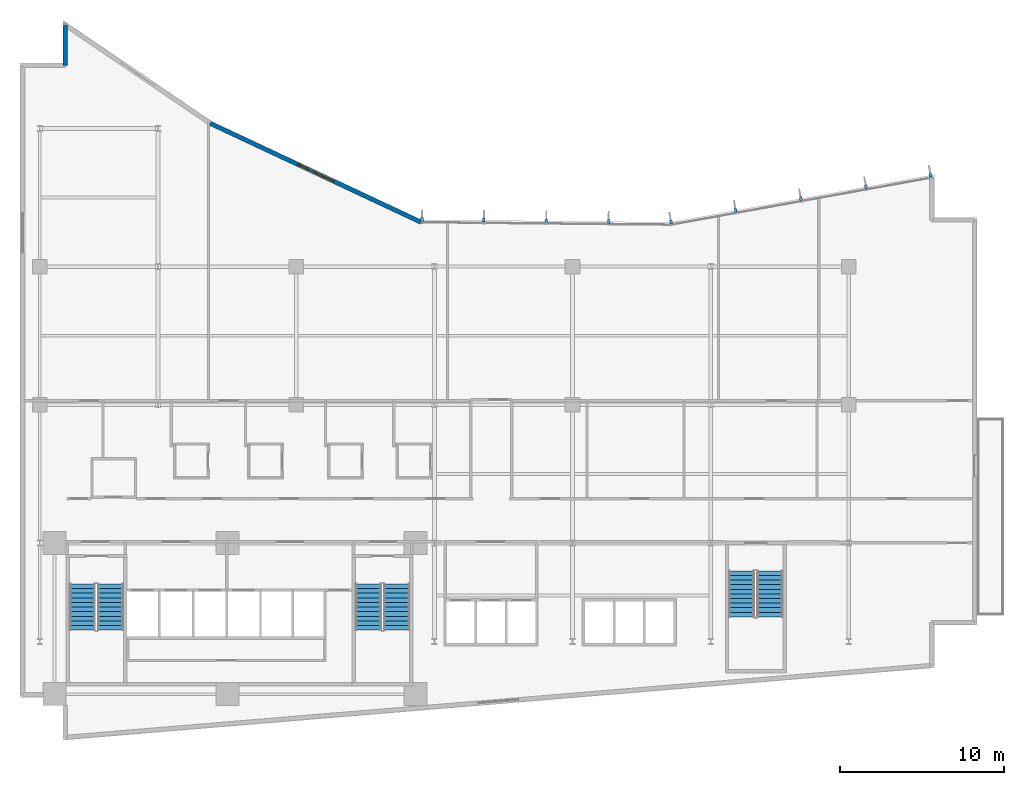
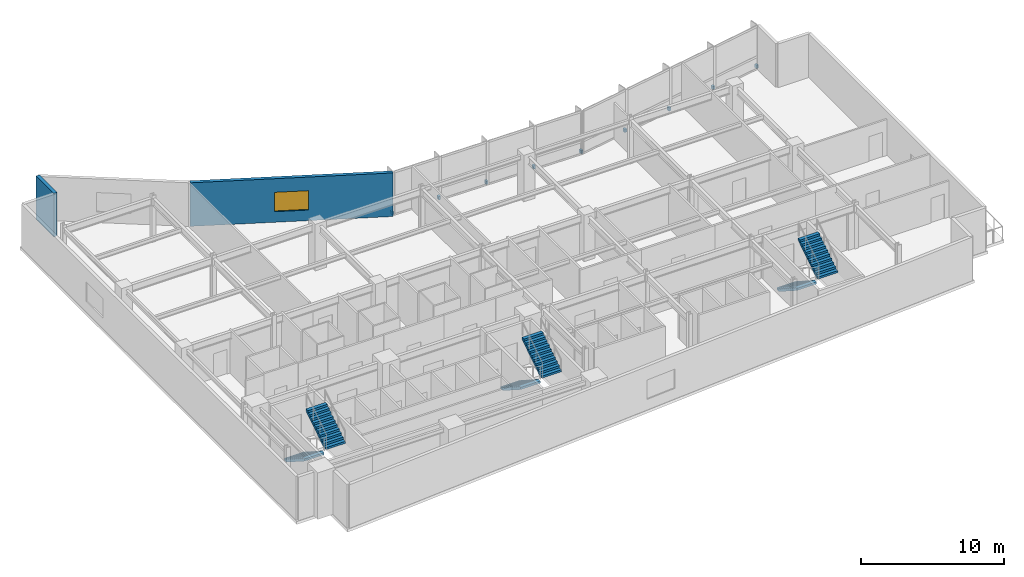
# One storey, part 13 of 18: 9 discrete accessories, 6 stair flights, 2 walls, 1 window, 1 opening, 3 elements without a shape of their own.
"""IFC4 building model written with IfcOpenShell, lengths in metres."""

from ifc_helpers import new_model, si_unit, direction, frame, frame_2d, origin, origin_2d, place, context, subcontext, project, spatial, polyline, rectangle, outline, extrude, material, layer, layer_set, type_object, element, fill, aggregate, save


model = new_model("IFC4")

# Units and contexts
model_context = context("Model", 3, precision=1e-05, world=origin(), true_north=direction((0.0, 1.0)))
body_context = subcontext(model_context, "Body", "Model", "MODEL_VIEW")
ifc_project = project(units=[si_unit("LENGTHUNIT", "METRE"), si_unit("AREAUNIT", "SQUARE_METRE"), si_unit("VOLUMEUNIT", "CUBIC_METRE"), si_unit("PLANEANGLEUNIT", "RADIAN"), si_unit("MASSUNIT", "GRAM", prefix="KILO")], contexts=[model_context])

# Site, building, storey
site_placement = place(None, origin())
site = spatial("IfcSite", under=ifc_project, at=site_placement, CompositionType="ELEMENT")
building_placement = place(site_placement, origin())
building = spatial("IfcBuilding", under=site, at=building_placement, Name="Varnakote Quay Hospital", CompositionType="ELEMENT")
storey_placement = place(building_placement, frame((0.0, 0.0, 69.89990234375)))
storey = spatial("IfcBuildingStorey", under=building, at=storey_placement, Name="L17", CompositionType="ELEMENT", Elevation=69.89990234375)

# Wall, opening, window
ifc_material_1 = material(Name="Precast concrete N50 (f'c 50 MPa)", Category="concrete")
ifc_layer_1 = layer(ifc_material_1, 0.260009765625)
ifc_layer_set_1 = layer_set([ifc_layer_1], Name="Precast concrete N50 (f'c 50 MPa)")
wall_type = type_object("IfcWallType", Name="WL-EXT-BRICK-260", PredefinedType="STANDARD", material=ifc_layer_set_1)
wall_1_placement = place(storey_placement, frame((24.40771484375, 31.4921875, 0.0), z_axis=(0.0, 0.0, 1.0), x_axis=(-0.905396522918, 0.424566998585, 0.0)))
wall_1 = element("IfcWall", 1, at=wall_1_placement, inside=storey, type_object=wall_type, Name="L17 Brick-Faced Precast Exterior Wall", PredefinedType="STANDARD", context=body_context, shape_type="SweptSolid", body=[
    extrude(rectangle(XDim=14.189453125, YDim=0.260009765625, at=frame_2d((7.0947265625, 0.0))), origin(), (0.0, 0.0, 1.0), 3.710205078125),
])
opening_placement = place(wall_1_placement, frame((5.894775390625, 0.0, 0.89990234375)))
opening = element("IfcOpeningElement", 2, at=opening_placement, cuts=wall_1, Name="Opening WN-0083", PredefinedType="OPENING", context=body_context, shape_type="SweptSolid", body=[
    extrude(rectangle(XDim=2.39990234375, YDim=1.64990234375, at=frame_2d((1.199951171875, 0.824951171875))), frame((0.0, 0.139892578125, 0.0), z_axis=(0.0, -1.0, 0.0), x_axis=(1.0, 0.0, 0.0)), (0.0, 0.0, 1.0), 0.280029296875),
])
ifc_material_2 = material(Name="Double-glazed low-E solar glass", Category="glass")
window_type = type_object("IfcWindowType", Name="WIN-CLIN-2400x1650", PartitioningType="SINGLE_PANEL", PredefinedType="WINDOW", material=ifc_material_2)
window_placement = place(opening_placement, origin())
window = element("IfcWindow", 3, at=window_placement, inside=storey, type_object=window_type, Name="L17 Solar-Control Clinical Window", OverallHeight=1.64990234375, OverallWidth=2.39990234375, PartitioningType="SINGLE_PANEL", PredefinedType="WINDOW", context=body_context, shape_type="SweptSolid", body=[
    extrude(rectangle(XDim=2.39990234375, YDim=1.64990234375, at=frame_2d((1.199951171875, 0.824951171875))), frame((0.0, 0.030029296875, 0.0), z_axis=(0.0, -1.0, 0.0), x_axis=(1.0, 0.0, 0.0)), (0.0, 0.0, 1.0), 0.06005859375),
])
fill(opening, window)

# Wall
wall_2_placement = place(storey_placement, frame((2.760009765625, 43.497802734375, 0.0), z_axis=(0.0, 0.0, 1.0), x_axis=(0.0, -1.0, 0.0)))
element("IfcWall", 4, at=wall_2_placement, inside=storey, type_object=wall_type, Name="L17 Brick-Faced Precast Exterior Wall", PredefinedType="STANDARD", context=body_context, shape_type="SweptSolid", body=[
    extrude(rectangle(XDim=2.457763671875, YDim=0.260009765625, at=frame_2d((1.22900390625, 0.0))), origin(), (0.0, 0.0, 1.0), 3.710205078125),
])

# Stair, stair flights
ifc_material_3 = material(Name="Concrete N40 (f'c 40 MPa)", Category="concrete")
stair_type = type_object("IfcStairType", Name="STR-CORE-1580", PredefinedType="HALF_TURN_STAIR", material=ifc_material_3)
stair_1_placement = place(storey_placement, origin())
stair_1 = element("IfcStair", 5, at=stair_1_placement, inside=storey, type_object=stair_type, Name="L17 Fire-Isolated Exit Stair ST-01", PredefinedType="HALF_TURN_STAIR")
ifc_material_4 = material(Name="Concrete N40 (f'c 40 MPa)", Category="concrete")
ifc_layer_2 = layer(ifc_material_4, 0.159912109375)
ifc_layer_set_2 = layer_set([ifc_layer_2], Name="Concrete N40 (f'c 40 MPa)")
stair_flight_type = type_object("IfcStairFlightType", Name="FLT-CORE-1580", PredefinedType="STRAIGHT", material=ifc_layer_set_2)
stair_flight_1_placement = place(storey_placement, frame((3.7900390625, 9.5, 0.0), z_axis=(0.0, 0.0, 1.0), x_axis=(0.0, -1.0, 0.0)))
stair_flight_1 = element("IfcStairFlight", 6, at=stair_flight_1_placement, type_object=stair_flight_type, Name="ST-01 flight 1", NumberOfRisers=11, NumberOfTreads=10, PredefinedType="STRAIGHT", RiserHeight=0.179545455, TreadLength=0.28, context=body_context, shape_type="SweptSolid", body=[
    extrude(outline(polyline([(0.0, 0.0), (0.0, 0.179443359375), (0.280029296875, 0.179443359375), (0.280029296875, 0.359130859375), (0.56005859375, 0.359130859375), (0.56005859375, 0.53857421875), (0.840087890625, 0.53857421875), (0.840087890625, 0.71826171875), (1.1201171875, 0.71826171875), (1.1201171875, 0.897705078125), (1.39990234375, 0.897705078125), (1.39990234375, 1.077392578125), (1.679931640625, 1.077392578125), (1.679931640625, 1.2568359375), (1.9599609375, 1.2568359375), (1.9599609375, 1.436279296875), (2.239990234375, 1.436279296875), (2.239990234375, 1.615966796875), (2.52001953125, 1.615966796875), (2.52001953125, 1.79541015625), (2.800048828125, 1.79541015625), (2.800048828125, 1.97509765625), (2.800048828125, 1.60546875), (0.296142578125, 0.0), (0.0, 0.0)])), frame((0.0, 0.7900390625, 0.0), z_axis=(0.0, -1.0, 0.0), x_axis=(1.0, 0.0, 0.0)), (0.0, 0.0, 1.0), 1.580078125),
])
stair_flight_2_placement = place(storey_placement, frame((5.510009765625, 6.699951171875, 1.97509765625), z_axis=(0.0, 0.0, 1.0), x_axis=(0.0, 1.0, 0.0)))
stair_flight_2 = element("IfcStairFlight", 7, at=stair_flight_2_placement, type_object=stair_flight_type, Name="ST-01 flight 2", NumberOfRisers=11, NumberOfTreads=10, PredefinedType="STRAIGHT", RiserHeight=0.179545455, TreadLength=0.28, context=body_context, shape_type="SweptSolid", body=[
    extrude(outline(polyline([(0.0, 0.0), (0.0, 0.179443359375), (0.280029296875, 0.179443359375), (0.280029296875, 0.359130859375), (0.56005859375, 0.359130859375), (0.56005859375, 0.53857421875), (0.840087890625, 0.53857421875), (0.840087890625, 0.71826171875), (1.1201171875, 0.71826171875), (1.1201171875, 0.897705078125), (1.39990234375, 0.897705078125), (1.39990234375, 1.077392578125), (1.679931640625, 1.077392578125), (1.679931640625, 1.2568359375), (1.9599609375, 1.2568359375), (1.9599609375, 1.436279296875), (2.239990234375, 1.436279296875), (2.239990234375, 1.615966796875), (2.52001953125, 1.615966796875), (2.52001953125, 1.79541015625), (2.800048828125, 1.79541015625), (2.800048828125, 1.97509765625), (2.800048828125, 1.60546875), (0.296142578125, 0.0), (0.0, 0.0)])), frame((0.0, 0.7900390625, 0.0), z_axis=(0.0, -1.0, 0.0), x_axis=(1.0, 0.0, 0.0)), (0.0, 0.0, 1.0), 1.580078125),
])
aggregate(stair_1, [stair_flight_1, stair_flight_2])

stair_2_placement = place(storey_placement, origin())
stair_2 = element("IfcStair", 8, at=stair_2_placement, inside=storey, type_object=stair_type, Name="L17 Fire-Isolated Exit Stair ST-02", PredefinedType="HALF_TURN_STAIR")
stair_flight_3_placement = place(storey_placement, frame((21.18994140625, 9.5, 0.0), z_axis=(0.0, 0.0, 1.0), x_axis=(0.0, -1.0, 0.0)))
stair_flight_3 = element("IfcStairFlight", 9, at=stair_flight_3_placement, type_object=stair_flight_type, Name="ST-02 flight 1", NumberOfRisers=11, NumberOfTreads=10, PredefinedType="STRAIGHT", RiserHeight=0.179545455, TreadLength=0.28, context=body_context, shape_type="SweptSolid", body=[
    extrude(outline(polyline([(0.0, 0.0), (0.0, 0.179443359375), (0.280029296875, 0.179443359375), (0.280029296875, 0.359130859375), (0.56005859375, 0.359130859375), (0.56005859375, 0.53857421875), (0.840087890625, 0.53857421875), (0.840087890625, 0.71826171875), (1.1201171875, 0.71826171875), (1.1201171875, 0.897705078125), (1.39990234375, 0.897705078125), (1.39990234375, 1.077392578125), (1.679931640625, 1.077392578125), (1.679931640625, 1.2568359375), (1.9599609375, 1.2568359375), (1.9599609375, 1.436279296875), (2.239990234375, 1.436279296875), (2.239990234375, 1.615966796875), (2.52001953125, 1.615966796875), (2.52001953125, 1.79541015625), (2.800048828125, 1.79541015625), (2.800048828125, 1.97509765625), (2.800048828125, 1.60546875), (0.296142578125, 0.0), (0.0, 0.0)])), frame((0.0, 0.7900390625, 0.0), z_axis=(0.0, -1.0, 0.0), x_axis=(1.0, 0.0, 0.0)), (0.0, 0.0, 1.0), 1.580078125),
])
stair_flight_4_placement = place(storey_placement, frame((22.909912109375, 6.699951171875, 1.97509765625), z_axis=(0.0, 0.0, 1.0), x_axis=(0.0, 1.0, 0.0)))
stair_flight_4 = element("IfcStairFlight", 10, at=stair_flight_4_placement, type_object=stair_flight_type, Name="ST-02 flight 2", NumberOfRisers=11, NumberOfTreads=10, PredefinedType="STRAIGHT", RiserHeight=0.179545455, TreadLength=0.28, context=body_context, shape_type="SweptSolid", body=[
    extrude(outline(polyline([(0.0, 0.0), (0.0, 0.179443359375), (0.280029296875, 0.179443359375), (0.280029296875, 0.359130859375), (0.56005859375, 0.359130859375), (0.56005859375, 0.53857421875), (0.840087890625, 0.53857421875), (0.840087890625, 0.71826171875), (1.1201171875, 0.71826171875), (1.1201171875, 0.897705078125), (1.39990234375, 0.897705078125), (1.39990234375, 1.077392578125), (1.679931640625, 1.077392578125), (1.679931640625, 1.2568359375), (1.9599609375, 1.2568359375), (1.9599609375, 1.436279296875), (2.239990234375, 1.436279296875), (2.239990234375, 1.615966796875), (2.52001953125, 1.615966796875), (2.52001953125, 1.79541015625), (2.800048828125, 1.79541015625), (2.800048828125, 1.97509765625), (2.800048828125, 1.60546875), (0.296142578125, 0.0), (0.0, 0.0)])), frame((0.0, 0.7900390625, 0.0), z_axis=(0.0, -1.0, 0.0), x_axis=(1.0, 0.0, 0.0)), (0.0, 0.0, 1.0), 1.580078125),
])
aggregate(stair_2, [stair_flight_3, stair_flight_4])

stair_3_placement = place(storey_placement, origin())
stair_3 = element("IfcStair", 11, at=stair_3_placement, inside=storey, type_object=stair_type, Name="L17 Fire-Isolated Exit Stair ST-03", PredefinedType="HALF_TURN_STAIR")
stair_flight_5_placement = place(storey_placement, frame((43.889892578125, 10.300048828125, 0.0), z_axis=(0.0, 0.0, 1.0), x_axis=(0.0, -1.0, 0.0)))
stair_flight_5 = element("IfcStairFlight", 12, at=stair_flight_5_placement, type_object=stair_flight_type, Name="ST-03 flight 1", NumberOfRisers=11, NumberOfTreads=10, PredefinedType="STRAIGHT", RiserHeight=0.179545455, TreadLength=0.28, context=body_context, shape_type="SweptSolid", body=[
    extrude(outline(polyline([(0.0, 0.0), (0.0, 0.179443359375), (0.280029296875, 0.179443359375), (0.280029296875, 0.359130859375), (0.56005859375, 0.359130859375), (0.56005859375, 0.53857421875), (0.840087890625, 0.53857421875), (0.840087890625, 0.71826171875), (1.1201171875, 0.71826171875), (1.1201171875, 0.897705078125), (1.39990234375, 0.897705078125), (1.39990234375, 1.077392578125), (1.679931640625, 1.077392578125), (1.679931640625, 1.2568359375), (1.9599609375, 1.2568359375), (1.9599609375, 1.436279296875), (2.239990234375, 1.436279296875), (2.239990234375, 1.615966796875), (2.52001953125, 1.615966796875), (2.52001953125, 1.79541015625), (2.800048828125, 1.79541015625), (2.800048828125, 1.97509765625), (2.800048828125, 1.60546875), (0.296142578125, 0.0), (0.0, 0.0)])), frame((0.0, 0.7900390625, 0.0), z_axis=(0.0, -1.0, 0.0), x_axis=(1.0, 0.0, 0.0)), (0.0, 0.0, 1.0), 1.580078125),
])
stair_flight_6_placement = place(storey_placement, frame((45.610107421875, 7.5, 1.97509765625), z_axis=(0.0, 0.0, 1.0), x_axis=(0.0, 1.0, 0.0)))
stair_flight_6 = element("IfcStairFlight", 13, at=stair_flight_6_placement, type_object=stair_flight_type, Name="ST-03 flight 2", NumberOfRisers=11, NumberOfTreads=10, PredefinedType="STRAIGHT", RiserHeight=0.179545455, TreadLength=0.28, context=body_context, shape_type="SweptSolid", body=[
    extrude(outline(polyline([(0.0, 0.0), (0.0, 0.179443359375), (0.280029296875, 0.179443359375), (0.280029296875, 0.359130859375), (0.56005859375, 0.359130859375), (0.56005859375, 0.53857421875), (0.840087890625, 0.53857421875), (0.840087890625, 0.71826171875), (1.1201171875, 0.71826171875), (1.1201171875, 0.897705078125), (1.39990234375, 0.897705078125), (1.39990234375, 1.077392578125), (1.679931640625, 1.077392578125), (1.679931640625, 1.2568359375), (1.9599609375, 1.2568359375), (1.9599609375, 1.436279296875), (2.239990234375, 1.436279296875), (2.239990234375, 1.615966796875), (2.52001953125, 1.615966796875), (2.52001953125, 1.79541015625), (2.800048828125, 1.79541015625), (2.800048828125, 1.97509765625), (2.800048828125, 1.60546875), (0.296142578125, 0.0), (0.0, 0.0)])), frame((0.0, 0.7900390625, 0.0), z_axis=(0.0, -1.0, 0.0), x_axis=(1.0, 0.0, 0.0)), (0.0, 0.0, 1.0), 1.580078125),
])
aggregate(stair_3, [stair_flight_5, stair_flight_6])

# Discrete accessories
ifc_material_5 = material(Name="Anodised aluminium 6063-T6 Bronze", Category="aluminium")
discrete_accessory_type = type_object("IfcDiscreteAccessoryType", Name="ACC-FIN-BRACKET-180", PredefinedType="BRACKET", material=ifc_material_5)
for number, where, z_axis, x_axis, name in (
    (14, (55.372802734375, 34.369140625, 0.0), (0.0, 0.0, 1.0), (-0.984071739666, -0.177771795263, 0.0), "L17 Curtain Wall Fin Fixing Bracket"),
    (15, (51.447265625, 33.65966796875, 0.0), (0.0, 0.0, 1.0), (-0.984071739666, -0.177771795263, 0.0), "L17 Curtain Wall Fin Fixing Bracket"),
    (16, (47.484619140625, 32.943603515625, 0.0), (0.0, 0.0, 1.0), (-0.984071739666, -0.177771795263, 0.0), "L17 Curtain Wall Fin Fixing Bracket"),
    (17, (43.52197265625, 32.227294921875, 0.0), (0.0, 0.0, 1.0), (-0.984071739666, -0.177771795263, 0.0), "L17 Curtain Wall Fin Fixing Bracket"),
    (18, (39.59619140625, 31.517822265625, 0.0), (0.0, 0.0, 1.0), (-0.984071739666, -0.177771795263, 0.0), "L17 Curtain Wall Fin Fixing Bracket"),
    (19, (35.7958984375, 31.551025390625, 0.0), (0.0, 0.0, 1.0), (-0.999952236369, 0.009773688199, 0.0), "L17 Curtain Wall Fin Fixing Bracket"),
    (20, (32.000244140625, 31.588134765625, 0.0), (0.0, 0.0, 1.0), (-0.999952236369, 0.009773688199, 0.0), "L17 Curtain Wall Fin Fixing Bracket"),
    (21, (28.204833984375, 31.625244140625, 0.0), (0.0, 0.0, 1.0), (-0.999952236369, 0.009773688199, 0.0), "L17 Curtain Wall Fin Fixing Bracket"),
    (22, (24.44677734375, 31.661865234375, 0.0), (0.0, 0.0, 1.0), (-0.999952236369, 0.009773688199, 0.0), "L17 Curtain Wall Fin Fixing Bracket"),
):
    element("IfcDiscreteAccessory", number, at=place(storey_placement, frame(where, z_axis=z_axis, x_axis=x_axis)), inside=storey, type_object=discrete_accessory_type, Name=name, PredefinedType="BRACKET", context=body_context, shape_type="SweptSolid", body=[
        extrude(rectangle(XDim=0.159912109375, YDim=0.239990234375, at=origin_2d()), origin(), (0.0, 0.0, 1.0), 0.280029296875),
    ])

save(model, "model.ifc")
